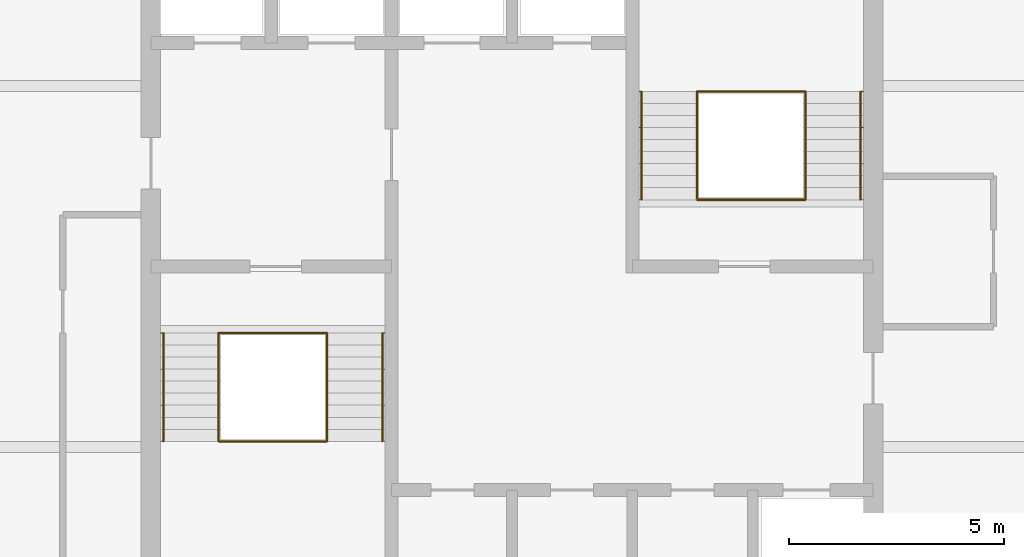
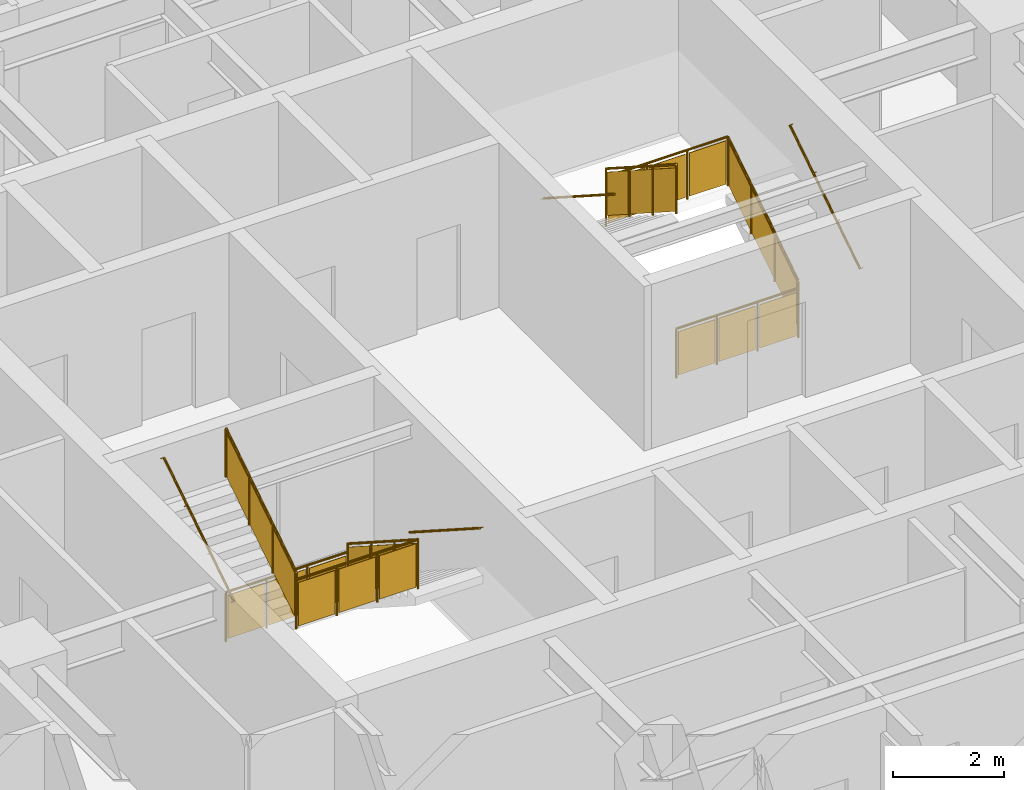
# One storey, part 9 of 9: 12 railings.
"""IFC4 building model written with IfcOpenShell, lengths in metres."""

import ifcopenshell
import ifcopenshell.guid

model = None  # the IFC model being written
_history = None  # IfcOwnerHistory: only IFC2X3 demands one
_inside = {}  # id of a spatial element -> (the spatial element, [elements in it])
_under = {}  # id of a project, library or spatial element -> (it, [spatial elements below it])
_declared = {}  # id of a project -> (the project, [libraries it declares])
_typed = {}  # id of a type object -> (the type object, [elements of that type])
_made_of = {}  # id of a material, layer set ... -> (it, [elements and type objects made of it])


def new_model(schema):
    """Start an empty IFC model of exactly this schema.

    Asked for "IFC4X3", IfcOpenShell would pick the latest addendum, in which some entities
    have other attributes; the version numbers below select the first issue.
    IFC2X3 requires an IfcOwnerHistory on every rooted entity: one is made here for all.
    """
    global model, _history
    if schema == "IFC4X3":
        model = ifcopenshell.file(schema_version=(4, 3, 0, 0))
    else:
        model = ifcopenshell.file(schema=schema)
    _inside.clear()
    _under.clear()
    _declared.clear()
    _typed.clear()
    _made_of.clear()
    _history = None
    if model.schema == "IFC2X3":
        org = make("IfcOrganization", Name="unknown")
        user = make(
            "IfcPersonAndOrganization",
            ThePerson=make("IfcPerson", FamilyName="unknown"),
            TheOrganization=org,
        )
        app = make(
            "IfcApplication",
            ApplicationDeveloper=org,
            Version="unknown",
            ApplicationFullName="unknown",
            ApplicationIdentifier="unknown",
        )
        _history = make(
            "IfcOwnerHistory",
            OwningUser=user,
            OwningApplication=app,
            ChangeAction="ADDED",
            CreationDate=0,
        )
    return model


def make(cls, **values):
    """One entity of the class cls with the attributes given. An attribute that is None is left unset."""
    return model.create_entity(
        cls, **{name: value for name, value in values.items() if value is not None}
    )


def rooted(cls, **values):
    """An entity with a GlobalId (a new one), such as an element, a storey or a relation."""
    return make(cls, GlobalId=ifcopenshell.guid.new(), OwnerHistory=_history, **values)


def si_unit(unit_type, name, prefix=None):
    """IfcSIUnit, for example si_unit("LENGTHUNIT", "METRE", prefix="MILLI")."""
    return make("IfcSIUnit", UnitType=unit_type, Prefix=prefix, Name=name)


def assignment(units):
    """IfcUnitAssignment: the units of a project."""
    return None if units is None else make("IfcUnitAssignment", Units=units)


def point(xyz):
    """IfcCartesianPoint."""
    return None if xyz is None else make("IfcCartesianPoint", Coordinates=xyz)


def direction(xyz):
    """IfcDirection."""
    return None if xyz is None else make("IfcDirection", DirectionRatios=xyz)


def frame(location, z_axis=None, x_axis=None):
    """IfcAxis2Placement3D, a coordinate frame: its origin and axes. An axis left out is left unset."""
    return make(
        "IfcAxis2Placement3D",
        Location=point(location),
        Axis=direction(z_axis),
        RefDirection=direction(x_axis),
    )


def frame_2d(location, x_axis=None):
    """IfcAxis2Placement2D, a coordinate frame in the plane: its origin and x axis."""
    return make(
        "IfcAxis2Placement2D", Location=point(location), RefDirection=direction(x_axis)
    )


def origin():
    """The frame at (0, 0, 0) with its axes left unset."""
    return frame((0.0, 0.0, 0.0))


def origin_2d():
    """The frame at (0, 0) in the plane with its x axis left unset."""
    return frame_2d((0.0, 0.0))


def place(relative_to, where):
    """IfcLocalPlacement: puts the frame where relative to a parent placement (None: the world)."""
    return make(
        "IfcLocalPlacement", PlacementRelTo=relative_to, RelativePlacement=where
    )


def context(
    kind, dimensions, precision=None, world=None, true_north=None, identifier=None
):
    """IfcGeometricRepresentationContext, for example the 3D "Model" context."""
    return make(
        "IfcGeometricRepresentationContext",
        ContextIdentifier=identifier,
        ContextType=kind,
        CoordinateSpaceDimension=dimensions,
        Precision=precision,
        WorldCoordinateSystem=world,
        TrueNorth=true_north,
    )


def subcontext(parent, identifier, kind, view, scale=None):
    """IfcGeometricRepresentationSubContext, for example "Body" below "Model"."""
    return make(
        "IfcGeometricRepresentationSubContext",
        ContextIdentifier=identifier,
        ContextType=kind,
        ParentContext=parent,
        TargetScale=scale,
        TargetView=view,
    )


def project(units=None, contexts=None):
    """IfcProject with its units and contexts."""
    return rooted(
        "IfcProject",
        Name="project",
        RepresentationContexts=contexts,
        UnitsInContext=assignment(units),
    )


def spatial(cls, under=None, at=None, **own):
    """A site, building, storey or space (cls), placed at a placement, below another one or the project."""
    s = rooted(cls, ObjectPlacement=at, **own)
    if under is not None:
        _under.setdefault(under.id(), (under, []))[1].append(s)
    return s


def polyline(points):
    """IfcPolyline through the points."""
    return make("IfcPolyline", Points=[point(p) for p in points])


def profile(cls, at=None, kind="AREA", **sizes):
    """A parametric profile (cls). Its sizes go by their IFC names, for example OverallWidth=200.0."""
    return make(cls, ProfileType=kind, Position=at, **sizes)


def circle(**sizes):
    """IfcCircleProfileDef."""
    return profile("IfcCircleProfileDef", **sizes)


def outline(outer, holes=None, kind="AREA"):
    """IfcArbitraryClosedProfileDef: a profile drawn as a closed curve; with holes, ...WithVoids."""
    if holes is None:
        return make("IfcArbitraryClosedProfileDef", ProfileType=kind, OuterCurve=outer)
    return make(
        "IfcArbitraryProfileDefWithVoids",
        ProfileType=kind,
        OuterCurve=outer,
        InnerCurves=holes,
    )


def extrude(swept, where, along, depth):
    """IfcExtrudedAreaSolid: the profile swept, set in the frame where, extruded along a direction by depth."""
    return make(
        "IfcExtrudedAreaSolid",
        SweptArea=swept,
        Position=where,
        ExtrudedDirection=direction(along),
        Depth=depth,
    )


def shape(context_of_items, identifier, shape_type, items):
    """IfcShapeRepresentation: the items that make up one representation, for example the "Body"."""
    return make(
        "IfcShapeRepresentation",
        ContextOfItems=context_of_items,
        RepresentationIdentifier=identifier,
        RepresentationType=shape_type,
        Items=items,
    )


def material(Name=None, Category=None):
    """IfcMaterial."""
    return make("IfcMaterial", Name=Name, Category=Category)


def made_of(thing, what):
    """Note that an element or type object is made of a material, layer set ...; save() writes the relation."""
    if what is not None:
        _made_of.setdefault(what.id(), (what, []))[1].append(thing)
    return thing


def type_object(cls, material=None, **own):
    """A type object (cls), such as IfcWallType, which elements share."""
    return made_of(rooted(cls, **own), material)


def element(
    cls,
    number,
    at=None,
    inside=None,
    cuts=None,
    type_object=None,
    material=None,
    context=None,
    identifier="Body",
    shape_type=None,
    held_by="IfcProductDefinitionShape",
    body=None,
    shapes=None,
    **own,
):
    """One element of the class cls, such as IfcWall. Its Tag is "e" and its number.

    at: its placement. inside: the storey or other place that contains it. cuts: it is an
    opening in that element (IfcRelVoidsElement). A single representation is given by context,
    identifier, shape_type and body (its items); several are given by shapes. held_by: the class
    of the entity that holds the representations. save() writes the other relations.
    """
    e = rooted(cls, Tag="e%d" % number, ObjectPlacement=at, **own)
    if body is not None:
        shapes = [shape(context, identifier, shape_type, body)]
    if shapes is not None:
        e.Representation = make(held_by, Representations=shapes)
    if inside is not None:
        _inside.setdefault(inside.id(), (inside, []))[1].append(e)
    if cuts is not None:
        rooted(
            "IfcRelVoidsElement", RelatingBuildingElement=cuts, RelatedOpeningElement=e
        )
    if type_object is not None:
        _typed.setdefault(type_object.id(), (type_object, []))[1].append(e)
    return made_of(e, material)


def aggregate(whole, parts):
    """IfcRelAggregates: a whole, such as a stair, and the parts it consists of."""
    return rooted("IfcRelAggregates", RelatingObject=whole, RelatedObjects=parts)


def save(model, path):
    """Write the relations noted so far, then the file.

    IfcRelAggregates (storeys below a building ...), IfcRelContainedInSpatialStructure (elements
    in a storey), IfcRelDefinesByType, IfcRelAssociatesMaterial and IfcRelDeclares: one each for
    every whole, place, type object, material and project.
    """
    for whole, parts in _under.values():
        aggregate(whole, parts)
    for where, things in _inside.values():
        rooted(
            "IfcRelContainedInSpatialStructure",
            RelatedElements=things,
            RelatingStructure=where,
        )
    for kind, things in _typed.values():
        rooted("IfcRelDefinesByType", RelatedObjects=things, RelatingType=kind)
    for what, things in _made_of.values():
        rooted("IfcRelAssociatesMaterial", RelatedObjects=things, RelatingMaterial=what)
    for by, libraries in _declared.values():
        rooted("IfcRelDeclares", RelatingContext=by, RelatedDefinitions=libraries)
    model.write(path)


model = new_model("IFC4")

# Units and contexts
model_context = context("Model", 3, precision=1e-05, world=origin(), true_north=direction((0.0, 1.0)))
body_context = subcontext(model_context, "Body", "Model", "MODEL_VIEW")
ifc_project = project(units=[si_unit("LENGTHUNIT", "METRE"), si_unit("AREAUNIT", "SQUARE_METRE"), si_unit("VOLUMEUNIT", "CUBIC_METRE"), si_unit("PLANEANGLEUNIT", "RADIAN"), si_unit("MASSUNIT", "GRAM", prefix="KILO")], contexts=[model_context])

# Site, building, storey
site_placement = place(None, origin())
site = spatial("IfcSite", under=ifc_project, at=site_placement, CompositionType="ELEMENT")
building_placement = place(site_placement, origin())
building = spatial("IfcBuilding", under=site, at=building_placement, Name="Torre Alcanfor", CompositionType="ELEMENT")
storey_placement = place(building_placement, frame((0.0, 0.0, 268.5)))
storey = spatial("IfcBuildingStorey", under=building, at=storey_placement, Name="L70", CompositionType="ELEMENT", Elevation=268.5)

# Railings
ifc_material_1 = material(Name="Steel ASTM A500 Grade C hollow sections", Category="steel")
railing_type_1 = type_object("IfcRailingType", Name="Stair guard and handrail 1100", PredefinedType="GUARDRAIL", material=ifc_material_1)
railing_1_placement = place(storey_placement, frame((25.10009765625, 27.85009765625, 0.179931640625)))
element("IfcRailing", 1, at=railing_1_placement, inside=storey, type_object=railing_type_1, Name="Stair guard S1 L70 flight 1", PredefinedType="GUARDRAIL", context=body_context, shape_type="SweptSolid", body=[
    extrude(circle(Radius=0.02392578125, at=origin_2d()), frame((0.0, 0.0, 1.076171875), z_axis=(0.0, -0.841162588446, 0.540782303519), x_axis=(1.0, 0.0, 0.0)), (0.0, 0.0, 1.0), 2.995849609375),
    extrude(circle(Radius=0.02099609375, at=origin_2d()), origin(), (0.0, 0.0, 1.0), 1.052001953125),
    extrude(circle(Radius=0.02099609375, at=origin_2d()), frame((0.0, -0.840087890625, 0.5400390625)), (0.0, 0.0, 1.0), 1.052001953125),
    extrude(circle(Radius=0.02099609375, at=origin_2d()), frame((0.0, -1.679931640625, 1.080078125)), (0.0, 0.0, 1.0), 1.052001953125),
    extrude(circle(Radius=0.02099609375, at=origin_2d()), frame((0.0, -2.52001953125, 1.6201171875)), (0.0, 0.0, 1.0), 1.052001953125),
    extrude(outline(polyline([(0.041015625, 0.076416015625), (0.799072265625, 0.563720703125), (0.799072265625, 1.515625), (0.041015625, 1.0283203125), (0.041015625, 0.076416015625)])), frame((0.005859375, 0.0, 0.0), z_axis=(-1.0, 0.0, 0.0), x_axis=(0.0, -1.0, 0.0)), (0.0, 0.0, 1.0), 0.011962890625),
    extrude(outline(polyline([(0.881103515625, 0.616455078125), (1.638916015625, 1.103759765625), (1.638916015625, 2.0556640625), (0.881103515625, 1.568359375), (0.881103515625, 0.616455078125)])), frame((0.005859375, 0.0, 0.0), z_axis=(-1.0, 0.0, 0.0), x_axis=(0.0, -1.0, 0.0)), (0.0, 0.0, 1.0), 0.011962890625),
    extrude(outline(polyline([(1.720947265625, 1.156494140625), (2.47900390625, 1.643798828125), (2.47900390625, 2.595703125), (1.720947265625, 2.1083984375), (1.720947265625, 1.156494140625)])), frame((0.005859375, 0.0, 0.0), z_axis=(-1.0, 0.0, 0.0), x_axis=(0.0, -1.0, 0.0)), (0.0, 0.0, 1.0), 0.011962890625),
])
railing_2_placement = place(storey_placement, frame((22.574951171875, 25.330078125, 1.97998046875)))
element("IfcRailing", 2, at=railing_2_placement, inside=storey, type_object=railing_type_1, Name="Stair guard S1 L70 flight 2", PredefinedType="GUARDRAIL", context=body_context, shape_type="SweptSolid", body=[
    extrude(circle(Radius=0.02392578125, at=origin_2d()), frame((0.0, 0.0, 1.076171875), z_axis=(0.0, 0.841162588446, 0.540782303519), x_axis=(-1.0, 0.0, 0.0)), (0.0, 0.0, 1.0), 2.995849609375),
    extrude(circle(Radius=0.02099609375, at=origin_2d()), origin(), (0.0, 0.0, 1.0), 1.052001953125),
    extrude(circle(Radius=0.02099609375, at=origin_2d()), frame((0.0, 0.840087890625, 0.5400390625)), (0.0, 0.0, 1.0), 1.052001953125),
    extrude(circle(Radius=0.02099609375, at=origin_2d()), frame((0.0, 1.679931640625, 1.080078125)), (0.0, 0.0, 1.0), 1.052001953125),
    extrude(circle(Radius=0.02099609375, at=origin_2d()), frame((0.0, 2.52001953125, 1.6201171875)), (0.0, 0.0, 1.0), 1.052001953125),
    extrude(outline(polyline([(0.041015625, 0.076416015625), (0.799072265625, 0.563720703125), (0.799072265625, 1.515625), (0.041015625, 1.0283203125), (0.041015625, 0.076416015625)])), frame((-0.005859375, 0.0, 0.0), z_axis=(1.0, 0.0, 0.0), x_axis=(0.0, 1.0, 0.0)), (0.0, 0.0, 1.0), 0.011962890625),
    extrude(outline(polyline([(0.881103515625, 0.616455078125), (1.638916015625, 1.103759765625), (1.638916015625, 2.0556640625), (0.881103515625, 1.568359375), (0.881103515625, 0.616455078125)])), frame((-0.005859375, 0.0, 0.0), z_axis=(1.0, 0.0, 0.0), x_axis=(0.0, 1.0, 0.0)), (0.0, 0.0, 1.0), 0.011962890625),
    extrude(outline(polyline([(1.720947265625, 1.156494140625), (2.47900390625, 1.643798828125), (2.47900390625, 2.595703125), (1.720947265625, 2.1083984375), (1.720947265625, 1.156494140625)])), frame((-0.005859375, 0.0, 0.0), z_axis=(1.0, 0.0, 0.0), x_axis=(0.0, 1.0, 0.0)), (0.0, 0.0, 1.0), 0.011962890625),
])
for number, where, name in (
    (3, (22.574951171875, 27.85009765625, 0.0), "Stair well guard S1 L70 floor landing"),
    (4, (22.574951171875, 25.330078125, 1.800048828125), "Stair well guard S1 L70 half landing"),
):
    element("IfcRailing", number, at=place(storey_placement, frame(where)), inside=storey, type_object=railing_type_1, Name=name, PredefinedType="GUARDRAIL", context=body_context, shape_type="SweptSolid", body=[
        extrude(circle(Radius=0.02392578125, at=origin_2d()), frame((0.0, 0.0, 1.076171875), z_axis=(1.0, 0.0, 0.0), x_axis=(0.0, 1.0, 0.0)), (0.0, 0.0, 1.0), 2.525146484375),
        extrude(circle(Radius=0.02099609375, at=origin_2d()), origin(), (0.0, 0.0, 1.0), 1.052001953125),
        extrude(circle(Radius=0.02099609375, at=origin_2d()), frame((0.841796875, 0.0, 0.0)), (0.0, 0.0, 1.0), 1.052001953125),
        extrude(circle(Radius=0.02099609375, at=origin_2d()), frame((1.683349609375, 0.0, 0.0)), (0.0, 0.0, 1.0), 1.052001953125),
        extrude(circle(Radius=0.02099609375, at=origin_2d()), frame((2.525146484375, 0.0, 0.0)), (0.0, 0.0, 1.0), 1.052001953125),
        extrude(outline(polyline([(0.041015625, 0.050048828125), (0.80078125, 0.050048828125), (0.80078125, 1.001953125), (0.041015625, 1.001953125), (0.041015625, 0.050048828125)])), frame((0.0, 0.005859375, 0.0), z_axis=(0.0, -1.0, 0.0), x_axis=(1.0, 0.0, 0.0)), (0.0, 0.0, 1.0), 0.011962890625),
        extrude(outline(polyline([(0.8828125, 0.050048828125), (1.642333984375, 0.050048828125), (1.642333984375, 1.001953125), (0.8828125, 1.001953125), (0.8828125, 0.050048828125)])), frame((0.0, 0.005859375, 0.0), z_axis=(0.0, -1.0, 0.0), x_axis=(1.0, 0.0, 0.0)), (0.0, 0.0, 1.0), 0.011962890625),
        extrude(outline(polyline([(1.724365234375, 0.050048828125), (2.484130859375, 0.050048828125), (2.484130859375, 1.001953125), (1.724365234375, 1.001953125), (1.724365234375, 0.050048828125)])), frame((0.0, 0.005859375, 0.0), z_axis=(0.0, -1.0, 0.0), x_axis=(1.0, 0.0, 0.0)), (0.0, 0.0, 1.0), 0.011962890625),
    ])
railing_3_placement = place(storey_placement, frame((36.22509765625, 30.949951171875, 0.179931640625)))
element("IfcRailing", 5, at=railing_3_placement, inside=storey, type_object=railing_type_1, Name="Stair guard S2 L70 flight 1", PredefinedType="GUARDRAIL", context=body_context, shape_type="SweptSolid", body=[
    extrude(circle(Radius=0.02392578125, at=origin_2d()), frame((0.0, 0.0, 1.076171875), z_axis=(0.0, 0.841162588446, 0.540782303519), x_axis=(-1.0, 0.0, 0.0)), (0.0, 0.0, 1.0), 2.995849609375),
    extrude(circle(Radius=0.02099609375, at=origin_2d()), origin(), (0.0, 0.0, 1.0), 1.052001953125),
    extrude(circle(Radius=0.02099609375, at=origin_2d()), frame((0.0, 0.840087890625, 0.5400390625)), (0.0, 0.0, 1.0), 1.052001953125),
    extrude(circle(Radius=0.02099609375, at=origin_2d()), frame((0.0, 1.679931640625, 1.080078125)), (0.0, 0.0, 1.0), 1.052001953125),
    extrude(circle(Radius=0.02099609375, at=origin_2d()), frame((0.0, 2.52001953125, 1.6201171875)), (0.0, 0.0, 1.0), 1.052001953125),
    extrude(outline(polyline([(0.041015625, 0.076416015625), (0.799072265625, 0.563720703125), (0.799072265625, 1.515625), (0.041015625, 1.0283203125), (0.041015625, 0.076416015625)])), frame((-0.005859375, 0.0, 0.0), z_axis=(1.0, 0.0, 0.0), x_axis=(0.0, 1.0, 0.0)), (0.0, 0.0, 1.0), 0.011962890625),
    extrude(outline(polyline([(0.881103515625, 0.616455078125), (1.638916015625, 1.103759765625), (1.638916015625, 2.0556640625), (0.881103515625, 1.568359375), (0.881103515625, 0.616455078125)])), frame((-0.005859375, 0.0, 0.0), z_axis=(1.0, 0.0, 0.0), x_axis=(0.0, 1.0, 0.0)), (0.0, 0.0, 1.0), 0.011962890625),
    extrude(outline(polyline([(1.720947265625, 1.156494140625), (2.47900390625, 1.643798828125), (2.47900390625, 2.595703125), (1.720947265625, 2.1083984375), (1.720947265625, 1.156494140625)])), frame((-0.005859375, 0.0, 0.0), z_axis=(1.0, 0.0, 0.0), x_axis=(0.0, 1.0, 0.0)), (0.0, 0.0, 1.0), 0.011962890625),
])
railing_4_placement = place(storey_placement, frame((33.699951171875, 33.469970703125, 1.97998046875)))
element("IfcRailing", 6, at=railing_4_placement, inside=storey, type_object=railing_type_1, Name="Stair guard S2 L70 flight 2", PredefinedType="GUARDRAIL", context=body_context, shape_type="SweptSolid", body=[
    extrude(circle(Radius=0.02392578125, at=origin_2d()), frame((0.0, 0.0, 1.076171875), z_axis=(0.0, -0.841162588446, 0.540782303519), x_axis=(1.0, 0.0, 0.0)), (0.0, 0.0, 1.0), 2.995849609375),
    extrude(circle(Radius=0.02099609375, at=origin_2d()), origin(), (0.0, 0.0, 1.0), 1.052001953125),
    extrude(circle(Radius=0.02099609375, at=origin_2d()), frame((0.0, -0.840087890625, 0.5400390625)), (0.0, 0.0, 1.0), 1.052001953125),
    extrude(circle(Radius=0.02099609375, at=origin_2d()), frame((0.0, -1.679931640625, 1.080078125)), (0.0, 0.0, 1.0), 1.052001953125),
    extrude(circle(Radius=0.02099609375, at=origin_2d()), frame((0.0, -2.52001953125, 1.6201171875)), (0.0, 0.0, 1.0), 1.052001953125),
    extrude(outline(polyline([(0.041015625, 0.076416015625), (0.799072265625, 0.563720703125), (0.799072265625, 1.515625), (0.041015625, 1.0283203125), (0.041015625, 0.076416015625)])), frame((0.005859375, 0.0, 0.0), z_axis=(-1.0, 0.0, 0.0), x_axis=(0.0, -1.0, 0.0)), (0.0, 0.0, 1.0), 0.011962890625),
    extrude(outline(polyline([(0.881103515625, 0.616455078125), (1.638916015625, 1.103759765625), (1.638916015625, 2.0556640625), (0.881103515625, 1.568359375), (0.881103515625, 0.616455078125)])), frame((0.005859375, 0.0, 0.0), z_axis=(-1.0, 0.0, 0.0), x_axis=(0.0, -1.0, 0.0)), (0.0, 0.0, 1.0), 0.011962890625),
    extrude(outline(polyline([(1.720947265625, 1.156494140625), (2.47900390625, 1.643798828125), (2.47900390625, 2.595703125), (1.720947265625, 2.1083984375), (1.720947265625, 1.156494140625)])), frame((0.005859375, 0.0, 0.0), z_axis=(-1.0, 0.0, 0.0), x_axis=(0.0, -1.0, 0.0)), (0.0, 0.0, 1.0), 0.011962890625),
])
for number, where, name in (
    (7, (33.699951171875, 30.949951171875, 0.0), "Stair well guard S2 L70 floor landing"),
    (8, (33.699951171875, 33.469970703125, 1.800048828125), "Stair well guard S2 L70 half landing"),
):
    element("IfcRailing", number, at=place(storey_placement, frame(where)), inside=storey, type_object=railing_type_1, Name=name, PredefinedType="GUARDRAIL", context=body_context, shape_type="SweptSolid", body=[
        extrude(circle(Radius=0.02392578125, at=origin_2d()), frame((0.0, 0.0, 1.076171875), z_axis=(1.0, 0.0, 0.0), x_axis=(0.0, 1.0, 0.0)), (0.0, 0.0, 1.0), 2.525146484375),
        extrude(circle(Radius=0.02099609375, at=origin_2d()), origin(), (0.0, 0.0, 1.0), 1.052001953125),
        extrude(circle(Radius=0.02099609375, at=origin_2d()), frame((0.841796875, 0.0, 0.0)), (0.0, 0.0, 1.0), 1.052001953125),
        extrude(circle(Radius=0.02099609375, at=origin_2d()), frame((1.683349609375, 0.0, 0.0)), (0.0, 0.0, 1.0), 1.052001953125),
        extrude(circle(Radius=0.02099609375, at=origin_2d()), frame((2.525146484375, 0.0, 0.0)), (0.0, 0.0, 1.0), 1.052001953125),
        extrude(outline(polyline([(0.041015625, 0.050048828125), (0.80078125, 0.050048828125), (0.80078125, 1.001953125), (0.041015625, 1.001953125), (0.041015625, 0.050048828125)])), frame((0.0, 0.005859375, 0.0), z_axis=(0.0, -1.0, 0.0), x_axis=(1.0, 0.0, 0.0)), (0.0, 0.0, 1.0), 0.011962890625),
        extrude(outline(polyline([(0.8828125, 0.050048828125), (1.642333984375, 0.050048828125), (1.642333984375, 1.001953125), (0.8828125, 1.001953125), (0.8828125, 0.050048828125)])), frame((0.0, 0.005859375, 0.0), z_axis=(0.0, -1.0, 0.0), x_axis=(1.0, 0.0, 0.0)), (0.0, 0.0, 1.0), 0.011962890625),
        extrude(outline(polyline([(1.724365234375, 0.050048828125), (2.484130859375, 0.050048828125), (2.484130859375, 1.001953125), (1.724365234375, 1.001953125), (1.724365234375, 0.050048828125)])), frame((0.0, 0.005859375, 0.0), z_axis=(0.0, -1.0, 0.0), x_axis=(1.0, 0.0, 0.0)), (0.0, 0.0, 1.0), 0.011962890625),
    ])
ifc_material_2 = material(Name="Steel ASTM A500 Grade C hollow sections", Category="steel")
railing_type_2 = type_object("IfcRailingType", Name="Stair wall handrail 900", PredefinedType="HANDRAIL", material=ifc_material_2)
railing_5_placement = place(storey_placement, frame((26.385009765625, 27.85009765625, 0.179931640625)))
element("IfcRailing", 9, at=railing_5_placement, inside=storey, type_object=railing_type_2, Name="Stair handrail S1 L70 flight 1", PredefinedType="HANDRAIL", context=body_context, shape_type="SweptSolid", body=[
    extrude(circle(Radius=0.02392578125, at=origin_2d()), frame((0.0, 0.0, 0.8759765625), z_axis=(0.0, -0.841162588446, 0.540782303519), x_axis=(1.0, 0.0, 0.0)), (0.0, 0.0, 1.0), 2.995849609375),
    extrude(circle(Radius=0.008056640625, at=origin_2d()), frame((0.0, 0.0, 0.8759765625), z_axis=(1.0, 0.0, 0.0), x_axis=(0.0, 0.0, 1.0)), (0.0, 0.0, 1.0), 0.06494140625),
    extrude(circle(Radius=0.008056640625, at=origin_2d()), frame((0.0, -0.840087890625, 1.416015625), z_axis=(1.0, 0.0, 0.0), x_axis=(0.0, 0.0, 1.0)), (0.0, 0.0, 1.0), 0.06494140625),
    extrude(circle(Radius=0.008056640625, at=origin_2d()), frame((0.0, -1.679931640625, 1.9560546875), z_axis=(1.0, 0.0, 0.0), x_axis=(0.0, 0.0, 1.0)), (0.0, 0.0, 1.0), 0.06494140625),
    extrude(circle(Radius=0.008056640625, at=origin_2d()), frame((0.0, -2.52001953125, 2.49609375), z_axis=(1.0, 0.0, 0.0), x_axis=(0.0, 0.0, 1.0)), (0.0, 0.0, 1.0), 0.06494140625),
])
railing_6_placement = place(storey_placement, frame((21.2900390625, 25.330078125, 1.97998046875)))
element("IfcRailing", 10, at=railing_6_placement, inside=storey, type_object=railing_type_2, Name="Stair handrail S1 L70 flight 2", PredefinedType="HANDRAIL", context=body_context, shape_type="SweptSolid", body=[
    extrude(circle(Radius=0.02392578125, at=origin_2d()), frame((0.0, 0.0, 0.8759765625), z_axis=(0.0, 0.841162588446, 0.540782303519), x_axis=(-1.0, 0.0, 0.0)), (0.0, 0.0, 1.0), 2.995849609375),
    extrude(circle(Radius=0.008056640625, at=origin_2d()), frame((0.0, 0.0, 0.8759765625), z_axis=(-1.0, 0.0, 0.0), x_axis=(0.0, 0.0, 1.0)), (0.0, 0.0, 1.0), 0.06494140625),
    extrude(circle(Radius=0.008056640625, at=origin_2d()), frame((0.0, 0.840087890625, 1.416015625), z_axis=(-1.0, 0.0, 0.0), x_axis=(0.0, 0.0, 1.0)), (0.0, 0.0, 1.0), 0.06494140625),
    extrude(circle(Radius=0.008056640625, at=origin_2d()), frame((0.0, 1.679931640625, 1.9560546875), z_axis=(-1.0, 0.0, 0.0), x_axis=(0.0, 0.0, 1.0)), (0.0, 0.0, 1.0), 0.06494140625),
    extrude(circle(Radius=0.008056640625, at=origin_2d()), frame((0.0, 2.52001953125, 2.49609375), z_axis=(-1.0, 0.0, 0.0), x_axis=(0.0, 0.0, 1.0)), (0.0, 0.0, 1.0), 0.06494140625),
])
railing_7_placement = place(storey_placement, frame((37.510009765625, 30.949951171875, 0.179931640625)))
element("IfcRailing", 11, at=railing_7_placement, inside=storey, type_object=railing_type_2, Name="Stair handrail S2 L70 flight 1", PredefinedType="HANDRAIL", context=body_context, shape_type="SweptSolid", body=[
    extrude(circle(Radius=0.02392578125, at=origin_2d()), frame((0.0, 0.0, 0.8759765625), z_axis=(0.0, 0.841162588446, 0.540782303519), x_axis=(-1.0, 0.0, 0.0)), (0.0, 0.0, 1.0), 2.995849609375),
    extrude(circle(Radius=0.008056640625, at=origin_2d()), frame((0.0, 0.0, 0.8759765625), z_axis=(1.0, 0.0, 0.0), x_axis=(0.0, 0.0, 1.0)), (0.0, 0.0, 1.0), 0.06494140625),
    extrude(circle(Radius=0.008056640625, at=origin_2d()), frame((0.0, 0.840087890625, 1.416015625), z_axis=(1.0, 0.0, 0.0), x_axis=(0.0, 0.0, 1.0)), (0.0, 0.0, 1.0), 0.06494140625),
    extrude(circle(Radius=0.008056640625, at=origin_2d()), frame((0.0, 1.679931640625, 1.9560546875), z_axis=(1.0, 0.0, 0.0), x_axis=(0.0, 0.0, 1.0)), (0.0, 0.0, 1.0), 0.06494140625),
    extrude(circle(Radius=0.008056640625, at=origin_2d()), frame((0.0, 2.52001953125, 2.49609375), z_axis=(1.0, 0.0, 0.0), x_axis=(0.0, 0.0, 1.0)), (0.0, 0.0, 1.0), 0.06494140625),
])
railing_8_placement = place(storey_placement, frame((32.4150390625, 33.469970703125, 1.97998046875)))
element("IfcRailing", 12, at=railing_8_placement, inside=storey, type_object=railing_type_2, Name="Stair handrail S2 L70 flight 2", PredefinedType="HANDRAIL", context=body_context, shape_type="SweptSolid", body=[
    extrude(circle(Radius=0.02392578125, at=origin_2d()), frame((0.0, 0.0, 0.8759765625), z_axis=(0.0, -0.841162588446, 0.540782303519), x_axis=(1.0, 0.0, 0.0)), (0.0, 0.0, 1.0), 2.995849609375),
    extrude(circle(Radius=0.008056640625, at=origin_2d()), frame((0.0, 0.0, 0.8759765625), z_axis=(-1.0, 0.0, 0.0), x_axis=(0.0, 0.0, 1.0)), (0.0, 0.0, 1.0), 0.06494140625),
    extrude(circle(Radius=0.008056640625, at=origin_2d()), frame((0.0, -0.840087890625, 1.416015625), z_axis=(-1.0, 0.0, 0.0), x_axis=(0.0, 0.0, 1.0)), (0.0, 0.0, 1.0), 0.06494140625),
    extrude(circle(Radius=0.008056640625, at=origin_2d()), frame((0.0, -1.679931640625, 1.9560546875), z_axis=(-1.0, 0.0, 0.0), x_axis=(0.0, 0.0, 1.0)), (0.0, 0.0, 1.0), 0.06494140625),
    extrude(circle(Radius=0.008056640625, at=origin_2d()), frame((0.0, -2.52001953125, 2.49609375), z_axis=(-1.0, 0.0, 0.0), x_axis=(0.0, 0.0, 1.0)), (0.0, 0.0, 1.0), 0.06494140625),
])

save(model, "model.ifc")
